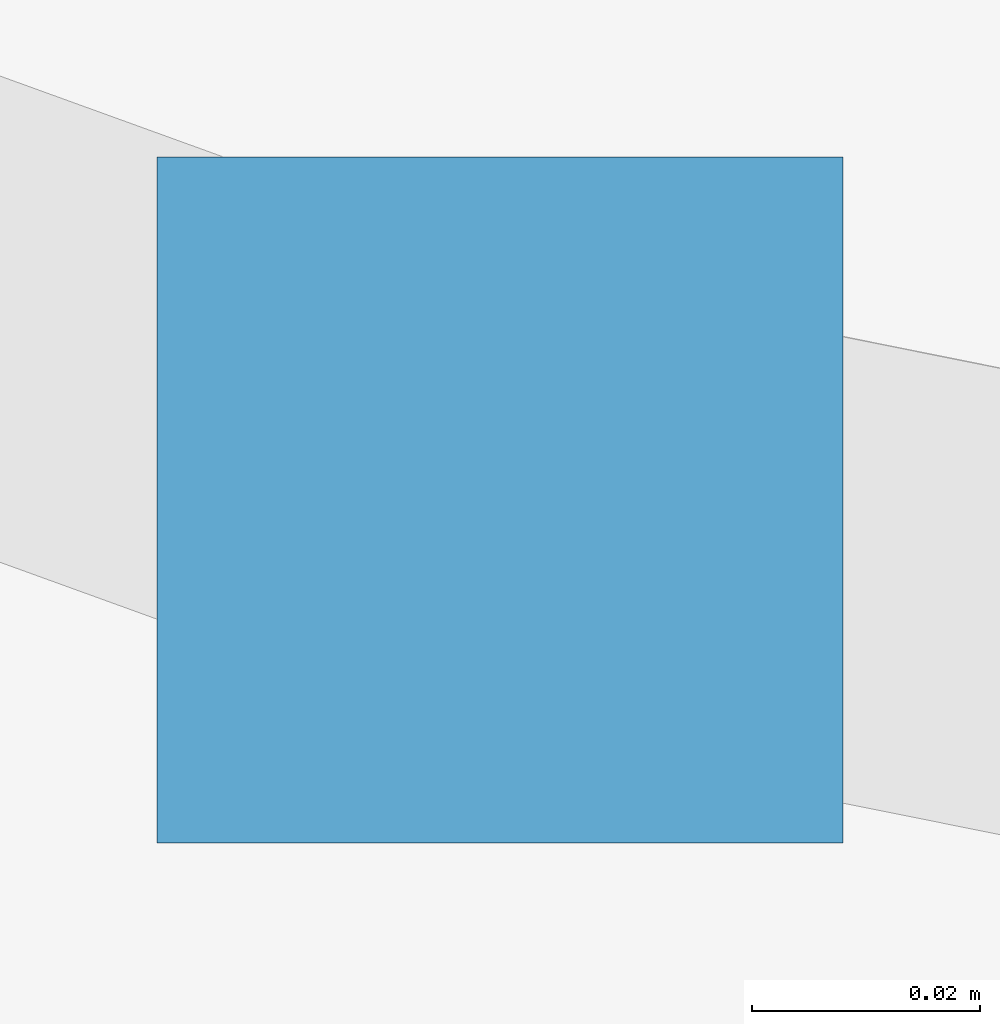
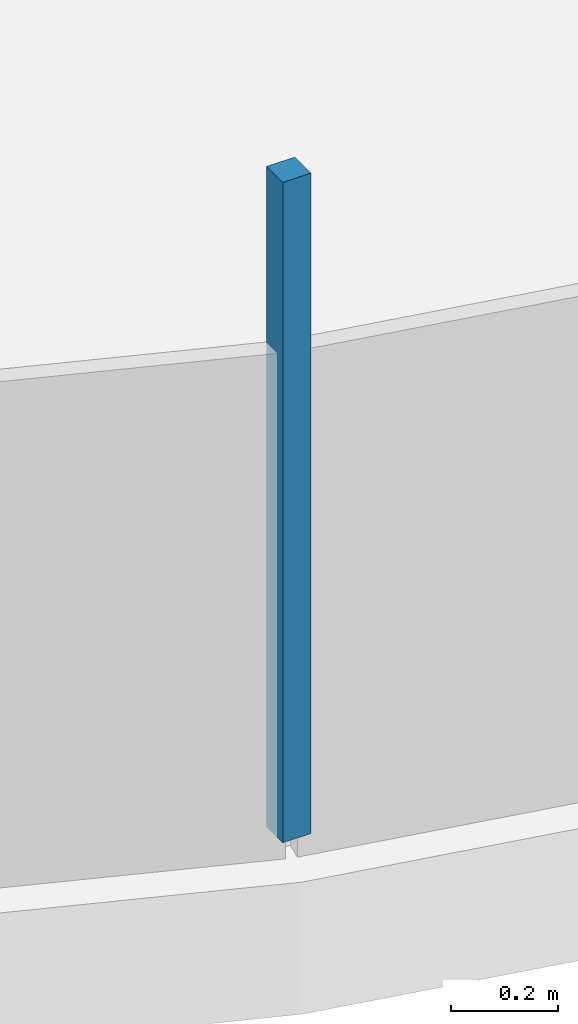
# One storey, part 3 of 9: 1 discrete accessory.
"""IFC4 building model written with IfcOpenShell, lengths in metres."""

from ifc_helpers import new_model, si_unit, direction, frame, origin, origin_2d, place, context, subcontext, project, spatial, rectangle, extrude, material, type_object, element, save


model = new_model("IFC4")

# Units and contexts
model_context = context("Model", 3, precision=1e-05, world=origin(), true_north=direction((0.0, 1.0)))
body_context = subcontext(model_context, "Body", "Model", "MODEL_VIEW")
ifc_project = project(units=[si_unit("LENGTHUNIT", "METRE"), si_unit("AREAUNIT", "SQUARE_METRE"), si_unit("VOLUMEUNIT", "CUBIC_METRE"), si_unit("PLANEANGLEUNIT", "RADIAN"), si_unit("MASSUNIT", "GRAM", prefix="KILO")], contexts=[model_context])

# Site, building, storey
site_placement = place(None, origin())
site = spatial("IfcSite", under=ifc_project, at=site_placement, CompositionType="ELEMENT")
building_placement = place(site_placement, origin())
building = spatial("IfcBuilding", under=site, at=building_placement, Name="Sierra Prisma Convention Tower", CompositionType="ELEMENT")
storey_placement = place(building_placement, frame((0.0, 0.0, 361.0)))
storey = spatial("IfcBuildingStorey", under=building, at=storey_placement, Name="Roof", CompositionType="ELEMENT", Elevation=361.0)

# Discrete accessory
ifc_material = material(Name="Copper")
discrete_accessory_type = type_object("IfcDiscreteAccessoryType", Name="Air terminal", PredefinedType="USERDEFINED", material=ifc_material)
discrete_accessory_placement = place(storey_placement, frame((-20.93017578125, -18.019287109375, 0.35009765625), z_axis=(0.0, 0.0, 1.0), x_axis=(1.0, 0.0, 0.0)))
element("IfcDiscreteAccessory", 1, at=discrete_accessory_placement, inside=storey, type_object=discrete_accessory_type, Name="Air terminal 0", ObjectType="AIR TERMINAL", PredefinedType="USERDEFINED", context=body_context, shape_type="SweptSolid", body=[
    extrude(rectangle(XDim=0.06005859375, YDim=0.06005859375, at=origin_2d()), origin(), (0.0, 0.0, 1.0), 1.5),
])

save(model, "model.ifc")
